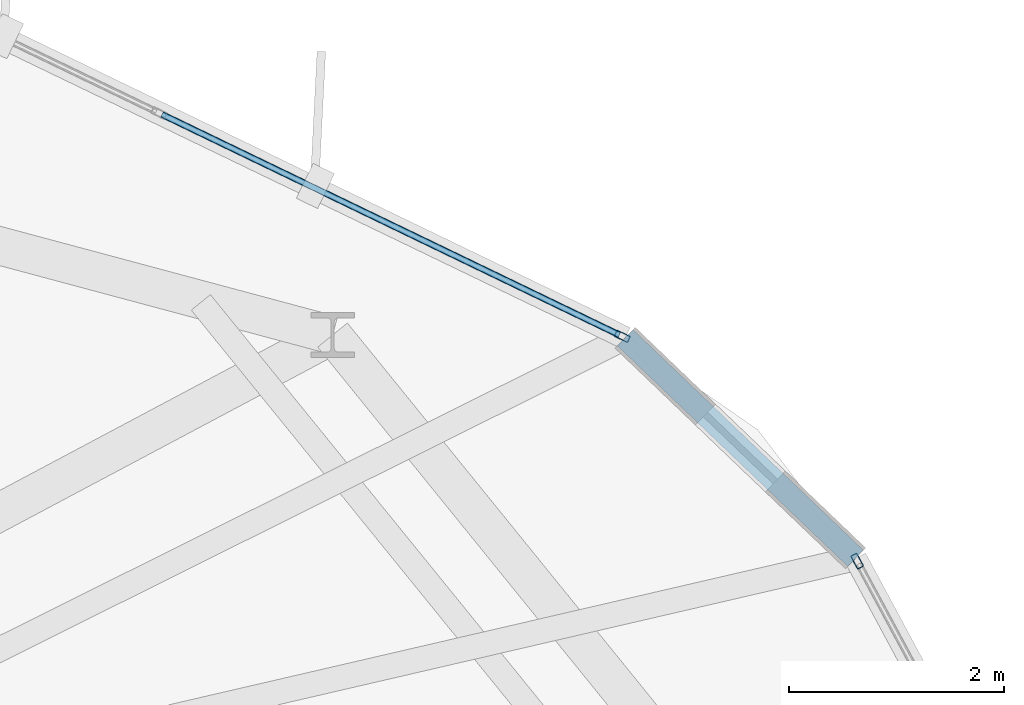
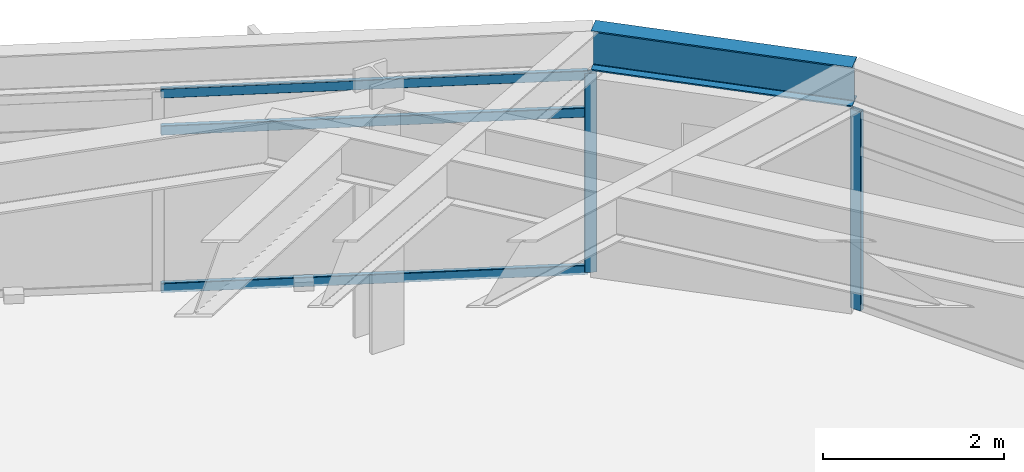
# One storey, part 20 of 27: 5 members, 1 beam, 2 elements without a shape of their own.
"""IFC4 building model written with IfcOpenShell, lengths in metres."""

from ifc_helpers import new_model, si_unit, direction, frame, origin, origin_2d, place, context, subcontext, project, spatial, hollow_rectangle, i_section, extrude, material, layer, layer_set, material_profile, profile_set, type_object, element, aggregate, save


model = new_model("IFC4")

# Units and contexts
model_context = context("Model", 3, precision=1e-05, world=origin(), true_north=direction((0.0, 1.0)))
body_context = subcontext(model_context, "Body", "Model", "MODEL_VIEW")
ifc_project = project(units=[si_unit("LENGTHUNIT", "METRE"), si_unit("AREAUNIT", "SQUARE_METRE"), si_unit("VOLUMEUNIT", "CUBIC_METRE"), si_unit("PLANEANGLEUNIT", "RADIAN"), si_unit("MASSUNIT", "GRAM", prefix="KILO")], contexts=[model_context])

# Site, building, storey
site_placement = place(None, origin())
site = spatial("IfcSite", under=ifc_project, at=site_placement, CompositionType="ELEMENT")
building_placement = place(site_placement, origin())
building = spatial("IfcBuilding", under=site, at=building_placement, Name="Soratama Intermodal Tower", CompositionType="ELEMENT")
storey_placement = place(building_placement, frame((0.0, 0.0, 208.60009765625)))
storey = spatial("IfcBuildingStorey", under=building, at=storey_placement, Name="L52", CompositionType="ELEMENT", Elevation=208.60009765625)

# Beam
ifc_material_1 = material(Name="Structural steel ASTM A992 Grade 50", Category="steel")
ifc_material_profile_1 = material_profile(ifc_material_1, i_section(OverallWidth=0.2099609375, OverallDepth=0.537109375, WebThickness=0.010986328125, FlangeThickness=0.017333984375, FilletRadius=0.012939453125, at=origin_2d()), Name="W21X68")
ifc_profile_set_1 = profile_set([ifc_material_profile_1], Name="Structural steel ASTM A992 Grade 50")
beam_type = type_object("IfcBeamType", Name="BM-SPN-W21X68", PredefinedType="SPANDREL", material=ifc_profile_set_1)
beam_placement = place(storey_placement, frame((59.993896484375, 38.52294921875, 3.031494140625), z_axis=(-0.722411226478, 0.691463679349, 0.0), x_axis=(-0.691463679349, -0.722411226478, 0.0)))
element("IfcBeam", 1, at=beam_placement, inside=storey, type_object=beam_type, Name="BS-L52-CRN10", PredefinedType="SPANDREL", context=body_context, shape_type="SweptSolid", body=[
    extrude(i_section(OverallWidth=0.2099609375, OverallDepth=0.537109375, WebThickness=0.010986328125, FlangeThickness=0.017333984375, FilletRadius=0.012939453125, at=origin_2d()), origin(), (0.0, 0.0, 1.0), 2.96630859375),
])

# Curtain wall, member
ifc_material_2 = material(Name="Double-glazed aluminium curtain wall", Category="aluminium")
ifc_layer = layer(ifc_material_2, 0.159912109375)
ifc_layer_set = layer_set([ifc_layer], Name="Double-glazed aluminium curtain wall")
curtain_wall_type = type_object("IfcCurtainWallType", Name="CW-SYS-5", PredefinedType="NOTDEFINED", material=ifc_layer_set)
curtain_wall_1_placement = place(storey_placement, origin())
curtain_wall_1 = element("IfcCurtainWall", 2, at=curtain_wall_1_placement, inside=storey, type_object=curtain_wall_type, Name="L52 Faceted Curtain Wall F01", PredefinedType="NOTDEFINED")
ifc_material_3 = material(Name="Anodised aluminium AA 6063-T6", Category="aluminium")
ifc_material_profile_2 = material_profile(ifc_material_3, hollow_rectangle(XDim=0.06494140625, YDim=0.139892578125, WallThickness=0.0048828125, InnerFilletRadius=0.0048828125, OuterFilletRadius=0.010009765625, at=origin_2d()), Name="CWM140X65X5")
ifc_profile_set_2 = profile_set([ifc_material_profile_2], Name="Anodised aluminium AA 6063-T6")
member_type_1 = type_object("IfcMemberType", Name="MT-CWM-5", PredefinedType="MULLION", material=ifc_profile_set_2)
member_1_placement = place(storey_placement, frame((57.823974609375, 40.58740234375, 0.0), z_axis=(0.0, 0.0, 1.0), x_axis=(-0.434286991077, -0.900774560798, 0.0)))
member_1 = element("IfcMember", 3, at=member_1_placement, type_object=member_type_1, Name="CW-5 mullion 1", PredefinedType="MULLION", context=body_context, shape_type="SweptSolid", body=[
    extrude(hollow_rectangle(XDim=0.06494140625, YDim=0.139892578125, WallThickness=0.0048828125, InnerFilletRadius=0.0048828125, OuterFilletRadius=0.010009765625, at=origin_2d()), origin(), (0.0, 0.0, 1.0), 2.678955078125),
])

curtain_wall_2_placement = place(storey_placement, origin())
curtain_wall_2 = element("IfcCurtainWall", 4, at=curtain_wall_2_placement, inside=storey, type_object=curtain_wall_type, Name="L52 Faceted Curtain Wall F10", PredefinedType="NOTDEFINED")
member_2_placement = place(storey_placement, frame((60.00830078125, 38.496826171875, 0.0), z_axis=(0.0, 0.0, 1.0), x_axis=(-0.880806522484, -0.473476366833, 0.0)))
member_2 = element("IfcMember", 5, at=member_2_placement, type_object=member_type_1, Name="CW-5 mullion 3", PredefinedType="MULLION", context=body_context, shape_type="SweptSolid", body=[
    extrude(hollow_rectangle(XDim=0.06494140625, YDim=0.139892578125, WallThickness=0.0048828125, InnerFilletRadius=0.0048828125, OuterFilletRadius=0.010009765625, at=origin_2d()), origin(), (0.0, 0.0, 1.0), 2.678955078125),
])
aggregate(curtain_wall_2, [member_2])

# Member
ifc_material_4 = material(Name="Anodised aluminium AA 6063-T6", Category="aluminium")
ifc_material_profile_3 = material_profile(ifc_material_4, hollow_rectangle(XDim=0.06005859375, YDim=0.1298828125, WallThickness=0.0048828125, InnerFilletRadius=0.0048828125, OuterFilletRadius=0.010009765625, at=origin_2d()), Name="CWT130X60X5")
ifc_profile_set_3 = profile_set([ifc_material_profile_3], Name="Anodised aluminium AA 6063-T6")
member_type_2 = type_object("IfcMemberType", Name="TT-CWT-2", PredefinedType="USERDEFINED", material=ifc_profile_set_3)
member_3_placement = place(storey_placement, frame((57.796875, 40.600341796875, 0.02978515625), z_axis=(-0.900766514254, 0.434303680389, 0.0), x_axis=(-0.434303680389, -0.900766514254, 0.0)))
member_3 = element("IfcMember", 6, at=member_3_placement, type_object=member_type_2, Name="CW-5 transom 1.1", ObjectType="TRANSOM", PredefinedType="USERDEFINED", context=body_context, shape_type="SweptSolid", body=[
    extrude(hollow_rectangle(XDim=0.06005859375, YDim=0.1298828125, WallThickness=0.0048828125, InnerFilletRadius=0.0048828125, OuterFilletRadius=0.010009765625, at=origin_2d()), origin(), (0.0, 0.0, 1.0), 4.721923828125),
])

member_4_placement = place(storey_placement, frame((57.796875, 40.600341796875, 2.14990234375), z_axis=(-0.900766514254, 0.434303680389, 0.0), x_axis=(-0.434303680389, -0.900766514254, 0.0)))
member_4 = element("IfcMember", 7, at=member_4_placement, type_object=member_type_2, Name="CW-5 transom 1.2", ObjectType="TRANSOM", PredefinedType="USERDEFINED", context=body_context, shape_type="SweptSolid", body=[
    extrude(hollow_rectangle(XDim=0.06005859375, YDim=0.1298828125, WallThickness=0.0048828125, InnerFilletRadius=0.0048828125, OuterFilletRadius=0.010009765625, at=origin_2d()), origin(), (0.0, 0.0, 1.0), 4.721923828125),
])

member_5_placement = place(storey_placement, frame((57.796875, 40.600341796875, 2.64892578125), z_axis=(-0.900766514254, 0.434303680389, 0.0), x_axis=(-0.434303680389, -0.900766514254, 0.0)))
member_5 = element("IfcMember", 8, at=member_5_placement, type_object=member_type_2, Name="CW-5 transom 1.3", ObjectType="TRANSOM", PredefinedType="USERDEFINED", context=body_context, shape_type="SweptSolid", body=[
    extrude(hollow_rectangle(XDim=0.06005859375, YDim=0.1298828125, WallThickness=0.0048828125, InnerFilletRadius=0.0048828125, OuterFilletRadius=0.010009765625, at=origin_2d()), origin(), (0.0, 0.0, 1.0), 4.721923828125),
])

aggregate(curtain_wall_1, [member_1, member_3, member_4, member_5])

save(model, "model.ifc")
